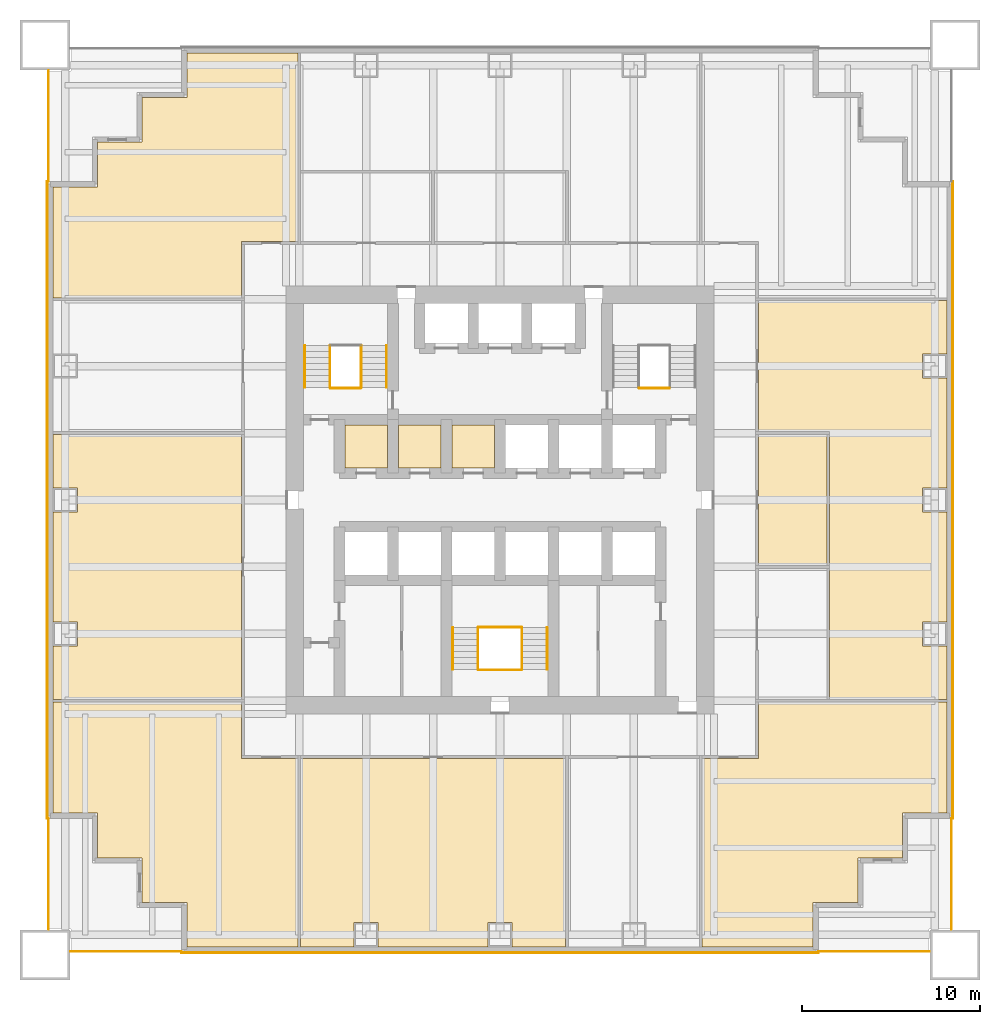
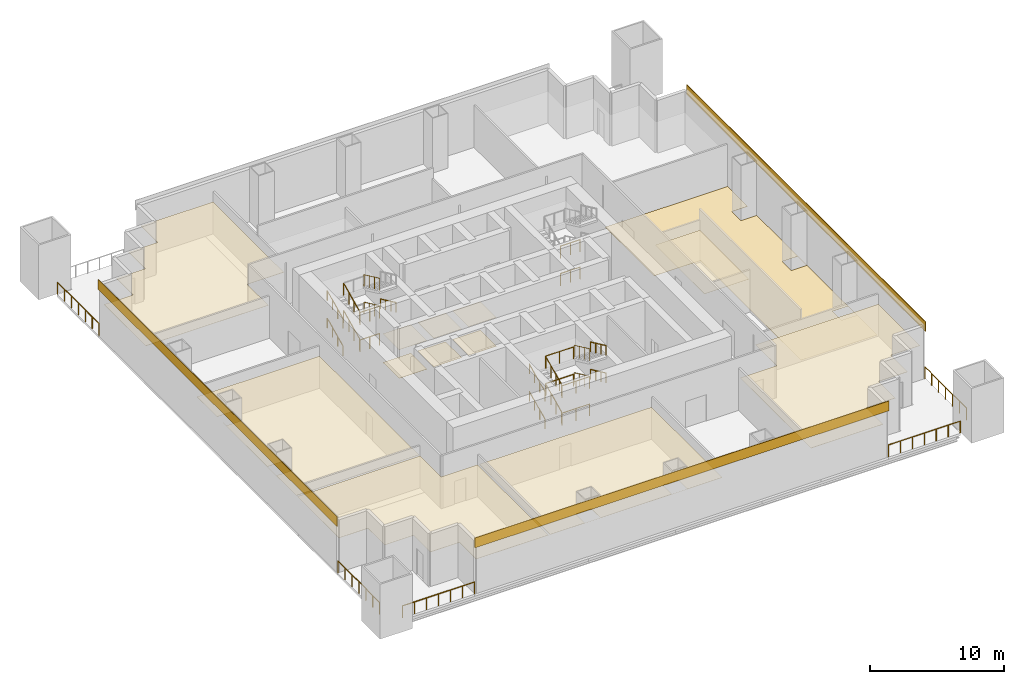
# One storey, part 5 of 6: 28 railings, 16 coverings.
"""IFC4 building model written with IfcOpenShell, lengths in metres."""

from ifc_helpers import new_model, si_unit, direction, frame, origin, origin_2d, place, context, subcontext, project, spatial, polyline, rectangle, circle, outline, extrude, material, layer, layer_set, type_object, element, save


model = new_model("IFC4")

# Units and contexts
model_context = context("Model", 3, precision=1e-05, world=origin(), true_north=direction((0.0, 1.0)))
body_context = subcontext(model_context, "Body", "Model", "MODEL_VIEW")
ifc_project = project(units=[si_unit("LENGTHUNIT", "METRE"), si_unit("AREAUNIT", "SQUARE_METRE"), si_unit("VOLUMEUNIT", "CUBIC_METRE"), si_unit("PLANEANGLEUNIT", "RADIAN"), si_unit("MASSUNIT", "GRAM", prefix="KILO")], contexts=[model_context])

# Site, building, storey
site_placement = place(None, origin())
site = spatial("IfcSite", under=ifc_project, at=site_placement, CompositionType="ELEMENT")
building_placement = place(site_placement, origin())
building = spatial("IfcBuilding", under=site, at=building_placement, Name="Tarangal Relay Tower", CompositionType="ELEMENT")
storey_placement = place(building_placement, frame((0.0, 0.0, 48.39990234375)))
storey = spatial("IfcBuildingStorey", under=building, at=storey_placement, Name="L09", CompositionType="ELEMENT", Elevation=48.39990234375)

# Coverings
ifc_material_1 = material(Name="Anti-static vinyl flooring", Category="plastic")
ifc_layer_1 = layer(ifc_material_1, 0.010009765625)
ifc_layer_set_1 = layer_set([ifc_layer_1], Name="Anti-static vinyl floor")
covering_type_1 = type_object("IfcCoveringType", Name="Anti-static vinyl floor", PredefinedType="FLOORING", material=ifc_layer_set_1)
covering_1_placement = place(storey_placement, origin())
element("IfcCovering", 1, at=covering_1_placement, inside=storey, type_object=covering_type_1, Name="Floor finish FL1 L09-D1", PredefinedType="FLOORING", context=body_context, shape_type="SweptSolid", body=[
    extrude(outline(polyline([(-8.699951171875, 1.800048828125), (-6.300048828125, 1.800048828125), (-6.300048828125, 4.199951171875), (-8.699951171875, 4.199951171875), (-8.699951171875, 1.800048828125)])), origin(), (0.0, 0.0, 1.0), 0.010009765625),
])
covering_2_placement = place(storey_placement, origin())
element("IfcCovering", 2, at=covering_2_placement, inside=storey, type_object=covering_type_1, Name="Floor finish FL1 L09-D2", PredefinedType="FLOORING", context=body_context, shape_type="SweptSolid", body=[
    extrude(outline(polyline([(-5.699951171875, 1.800048828125), (-3.300048828125, 1.800048828125), (-3.300048828125, 4.199951171875), (-5.699951171875, 4.199951171875), (-5.699951171875, 1.800048828125)])), origin(), (0.0, 0.0, 1.0), 0.010009765625),
])
covering_3_placement = place(storey_placement, origin())
element("IfcCovering", 3, at=covering_3_placement, inside=storey, type_object=covering_type_1, Name="Floor finish FL1 L09-D3", PredefinedType="FLOORING", context=body_context, shape_type="SweptSolid", body=[
    extrude(outline(polyline([(-2.699951171875, 1.800048828125), (-0.300048828125, 1.800048828125), (-0.300048828125, 4.199951171875), (-2.699951171875, 4.199951171875), (-2.699951171875, 1.800048828125)])), origin(), (0.0, 0.0, 1.0), 0.010009765625),
])
covering_4_placement = place(storey_placement, origin())
element("IfcCovering", 4, at=covering_4_placement, inside=storey, type_object=covering_type_1, Name="Floor finish FL1 L09-05", PredefinedType="FLOORING", context=body_context, shape_type="SweptSolid", body=[
    extrude(outline(polyline([(25.050048828125, -11.175048828125), (25.050048828125, 11.175048828125), (14.47509765625, 11.175048828125), (14.47509765625, 3.824951171875), (18.47509765625, 3.824951171875), (18.47509765625, -11.175048828125), (25.050048828125, -11.175048828125)]), holes=[polyline([(25.0400390625, -8.175048828125), (25.0400390625, -6.824951171875), (23.68994140625, -6.824951171875), (23.68994140625, -8.175048828125), (25.0400390625, -8.175048828125)]), polyline([(23.68994140625, -0.675048828125), (25.0400390625, -0.675048828125), (25.0400390625, 0.675048828125), (23.68994140625, 0.675048828125), (23.68994140625, -0.675048828125)]), polyline([(23.68994140625, 6.824951171875), (25.0400390625, 6.824951171875), (25.0400390625, 8.175048828125), (23.68994140625, 8.175048828125), (23.68994140625, 6.824951171875)])]), origin(), (0.0, 0.0, 1.0), 0.010009765625),
])
ifc_material_2 = material(Name="Black anodised aluminium cladding", Category="aluminium")
ifc_layer_2 = layer(ifc_material_2, 0.050048828125)
ifc_layer_set_2 = layer_set([ifc_layer_2], Name="Black metal spandrel band")
covering_type_2 = type_object("IfcCoveringType", Name="Black metal spandrel band", PredefinedType="CLADDING", material=ifc_layer_set_2)
for number, where, z_axis, x_axis, name in (
    (5, (25.375, 0.0, 4.250244140625), (0.0, 0.0, 1.0), (0.0, -1.0, 0.0), "Spandrel band SB1 E L09"),
    (6, (0.0, -25.375, 4.250244140625), (0.0, 0.0, 1.0), (-1.0, 0.0, 0.0), "Spandrel band SB1 S L09"),
    (7, (-25.375, 0.0, 4.250244140625), (0.0, 0.0, 1.0), (0.0, 1.0, 0.0), "Spandrel band SB1 W L09"),
):
    element("IfcCovering", number, at=place(storey_placement, frame(where, z_axis=z_axis, x_axis=x_axis)), inside=storey, type_object=covering_type_2, Name=name, PredefinedType="CLADDING", context=body_context, shape_type="SweptSolid", body=[
        extrude(rectangle(XDim=35.699951171875, YDim=0.050048828125, at=origin_2d()), origin(), (0.0, 0.0, 1.0), 0.89990234375),
    ])

# Railings
ifc_material_3 = material(Name="Steel guard, black finish", Category="steel")
railing_type_1 = type_object("IfcRailingType", Name="Stair guard 1100", PredefinedType="GUARDRAIL", material=ifc_material_3)
railing_1_placement = place(storey_placement, frame((-9.530029296875, 6.300048828125, 0.15625)))
element("IfcRailing", 8, at=railing_1_placement, inside=storey, type_object=railing_type_1, Name="Stair ST-A guard GR1 L09 flight 1", PredefinedType="GUARDRAIL", context=body_context, shape_type="SweptSolid", body=[
    extrude(circle(Radius=0.02392578125, at=origin_2d()), frame((0.0, 0.0, 1.076171875), z_axis=(0.0, 0.90626748934, 0.422704669676), x_axis=(-1.0, 0.0, 0.0)), (0.0, 0.0, 1.0), 2.58740234375),
    extrude(circle(Radius=0.02099609375, at=origin_2d()), origin(), (0.0, 0.0, 1.0), 1.052001953125),
    extrude(circle(Radius=0.02099609375, at=origin_2d()), frame((0.0, 0.78173828125, 0.364501953125)), (0.0, 0.0, 1.0), 1.052001953125),
    extrude(circle(Radius=0.02099609375, at=origin_2d()), frame((0.0, 1.563232421875, 0.729248046875)), (0.0, 0.0, 1.0), 1.052001953125),
    extrude(circle(Radius=0.02099609375, at=origin_2d()), frame((0.0, 2.344970703125, 1.09375)), (0.0, 0.0, 1.0), 1.052001953125),
])
railing_2_placement = place(storey_placement, frame((-7.77001953125, 8.64501953125, 1.40625)))
element("IfcRailing", 9, at=railing_2_placement, inside=storey, type_object=railing_type_1, Name="Stair ST-A guard GR1 L09 flight 2", PredefinedType="GUARDRAIL", context=body_context, shape_type="SweptSolid", body=[
    extrude(circle(Radius=0.02392578125, at=origin_2d()), frame((0.0, 0.0, 1.076171875), z_axis=(0.0, -0.90626748934, 0.422704669676), x_axis=(1.0, 0.0, 0.0)), (0.0, 0.0, 1.0), 2.58740234375),
    extrude(circle(Radius=0.02099609375, at=origin_2d()), origin(), (0.0, 0.0, 1.0), 1.052001953125),
    extrude(circle(Radius=0.02099609375, at=origin_2d()), frame((0.0, -0.78173828125, 0.364501953125)), (0.0, 0.0, 1.0), 1.052001953125),
    extrude(circle(Radius=0.02099609375, at=origin_2d()), frame((0.0, -1.563232421875, 0.729248046875)), (0.0, 0.0, 1.0), 1.052001953125),
    extrude(circle(Radius=0.02099609375, at=origin_2d()), frame((0.0, -2.344970703125, 1.09375)), (0.0, 0.0, 1.0), 1.052001953125),
])
railing_3_placement = place(storey_placement, frame((-9.530029296875, 6.300048828125, 2.65625)))
element("IfcRailing", 10, at=railing_3_placement, inside=storey, type_object=railing_type_1, Name="Stair ST-A guard GR1 L09 flight 3", PredefinedType="GUARDRAIL", context=body_context, shape_type="SweptSolid", body=[
    extrude(circle(Radius=0.02392578125, at=origin_2d()), frame((0.0, 0.0, 1.076171875), z_axis=(0.0, 0.90626748934, 0.422704669676), x_axis=(-1.0, 0.0, 0.0)), (0.0, 0.0, 1.0), 2.58740234375),
    extrude(circle(Radius=0.02099609375, at=origin_2d()), origin(), (0.0, 0.0, 1.0), 1.052001953125),
    extrude(circle(Radius=0.02099609375, at=origin_2d()), frame((0.0, 0.78173828125, 0.364501953125)), (0.0, 0.0, 1.0), 1.052001953125),
    extrude(circle(Radius=0.02099609375, at=origin_2d()), frame((0.0, 1.563232421875, 0.729248046875)), (0.0, 0.0, 1.0), 1.052001953125),
    extrude(circle(Radius=0.02099609375, at=origin_2d()), frame((0.0, 2.344970703125, 1.09375)), (0.0, 0.0, 1.0), 1.052001953125),
])
railing_4_placement = place(storey_placement, frame((-7.77001953125, 8.64501953125, 3.90625)))
element("IfcRailing", 11, at=railing_4_placement, inside=storey, type_object=railing_type_1, Name="Stair ST-A guard GR1 L09 flight 4", PredefinedType="GUARDRAIL", context=body_context, shape_type="SweptSolid", body=[
    extrude(circle(Radius=0.02392578125, at=origin_2d()), frame((0.0, 0.0, 1.076171875), z_axis=(0.0, -0.90626748934, 0.422704669676), x_axis=(1.0, 0.0, 0.0)), (0.0, 0.0, 1.0), 2.58740234375),
    extrude(circle(Radius=0.02099609375, at=origin_2d()), origin(), (0.0, 0.0, 1.0), 1.052001953125),
    extrude(circle(Radius=0.02099609375, at=origin_2d()), frame((0.0, -0.78173828125, 0.364501953125)), (0.0, 0.0, 1.0), 1.052001953125),
    extrude(circle(Radius=0.02099609375, at=origin_2d()), frame((0.0, -1.563232421875, 0.729248046875)), (0.0, 0.0, 1.0), 1.052001953125),
    extrude(circle(Radius=0.02099609375, at=origin_2d()), frame((0.0, -2.344970703125, 1.09375)), (0.0, 0.0, 1.0), 1.052001953125),
])
for number, where, name in (
    (12, (-9.5, 6.27001953125, 0.0), "Stair ST-A landing guard GR1 L09"),
    (13, (-9.5, 6.27001953125, 2.5), "Stair ST-A landing guard GR1 L09"),
    (14, (7.800048828125, 6.27001953125, 0.0), "Stair ST-B landing guard GR1 L09"),
    (15, (7.800048828125, 6.27001953125, 2.5), "Stair ST-B landing guard GR1 L09"),
):
    element("IfcRailing", number, at=place(storey_placement, frame(where)), inside=storey, type_object=railing_type_1, Name=name, PredefinedType="GUARDRAIL", context=body_context, shape_type="SweptSolid", body=[
        extrude(circle(Radius=0.02392578125, at=origin_2d()), frame((0.0, 0.0, 1.076171875), z_axis=(1.0, 0.0, 0.0), x_axis=(0.0, 1.0, 0.0)), (0.0, 0.0, 1.0), 1.699951171875),
        extrude(circle(Radius=0.02099609375, at=origin_2d()), origin(), (0.0, 0.0, 1.0), 1.052001953125),
        extrude(circle(Radius=0.02099609375, at=origin_2d()), frame((0.85009765625, 0.0, 0.0)), (0.0, 0.0, 1.0), 1.052001953125),
        extrude(circle(Radius=0.02099609375, at=origin_2d()), frame((1.699951171875, 0.0, 0.0)), (0.0, 0.0, 1.0), 1.052001953125),
    ])
railing_5_placement = place(storey_placement, frame((-1.22998046875, -9.5, 0.15625)))
element("IfcRailing", 16, at=railing_5_placement, inside=storey, type_object=railing_type_1, Name="Stair ST-C guard GR1 L09 flight 1", PredefinedType="GUARDRAIL", context=body_context, shape_type="SweptSolid", body=[
    extrude(circle(Radius=0.02392578125, at=origin_2d()), frame((0.0, 0.0, 1.076171875), z_axis=(0.0, 0.90626748934, 0.422704669676), x_axis=(-1.0, 0.0, 0.0)), (0.0, 0.0, 1.0), 2.58740234375),
    extrude(circle(Radius=0.02099609375, at=origin_2d()), origin(), (0.0, 0.0, 1.0), 1.052001953125),
    extrude(circle(Radius=0.02099609375, at=origin_2d()), frame((0.0, 0.78173828125, 0.364501953125)), (0.0, 0.0, 1.0), 1.052001953125),
    extrude(circle(Radius=0.02099609375, at=origin_2d()), frame((0.0, 1.563232421875, 0.729248046875)), (0.0, 0.0, 1.0), 1.052001953125),
    extrude(circle(Radius=0.02099609375, at=origin_2d()), frame((0.0, 2.344970703125, 1.09375)), (0.0, 0.0, 1.0), 1.052001953125),
])
railing_6_placement = place(storey_placement, frame((1.22998046875, -7.155029296875, 1.40625)))
element("IfcRailing", 17, at=railing_6_placement, inside=storey, type_object=railing_type_1, Name="Stair ST-C guard GR1 L09 flight 2", PredefinedType="GUARDRAIL", context=body_context, shape_type="SweptSolid", body=[
    extrude(circle(Radius=0.02392578125, at=origin_2d()), frame((0.0, 0.0, 1.076171875), z_axis=(0.0, -0.90626748934, 0.422704669676), x_axis=(1.0, 0.0, 0.0)), (0.0, 0.0, 1.0), 2.58740234375),
    extrude(circle(Radius=0.02099609375, at=origin_2d()), origin(), (0.0, 0.0, 1.0), 1.052001953125),
    extrude(circle(Radius=0.02099609375, at=origin_2d()), frame((0.0, -0.78173828125, 0.364501953125)), (0.0, 0.0, 1.0), 1.052001953125),
    extrude(circle(Radius=0.02099609375, at=origin_2d()), frame((0.0, -1.563232421875, 0.729248046875)), (0.0, 0.0, 1.0), 1.052001953125),
    extrude(circle(Radius=0.02099609375, at=origin_2d()), frame((0.0, -2.344970703125, 1.09375)), (0.0, 0.0, 1.0), 1.052001953125),
])
railing_7_placement = place(storey_placement, frame((-1.22998046875, -9.5, 2.65625)))
element("IfcRailing", 18, at=railing_7_placement, inside=storey, type_object=railing_type_1, Name="Stair ST-C guard GR1 L09 flight 3", PredefinedType="GUARDRAIL", context=body_context, shape_type="SweptSolid", body=[
    extrude(circle(Radius=0.02392578125, at=origin_2d()), frame((0.0, 0.0, 1.076171875), z_axis=(0.0, 0.90626748934, 0.422704669676), x_axis=(-1.0, 0.0, 0.0)), (0.0, 0.0, 1.0), 2.58740234375),
    extrude(circle(Radius=0.02099609375, at=origin_2d()), origin(), (0.0, 0.0, 1.0), 1.052001953125),
    extrude(circle(Radius=0.02099609375, at=origin_2d()), frame((0.0, 0.78173828125, 0.364501953125)), (0.0, 0.0, 1.0), 1.052001953125),
    extrude(circle(Radius=0.02099609375, at=origin_2d()), frame((0.0, 1.563232421875, 0.729248046875)), (0.0, 0.0, 1.0), 1.052001953125),
    extrude(circle(Radius=0.02099609375, at=origin_2d()), frame((0.0, 2.344970703125, 1.09375)), (0.0, 0.0, 1.0), 1.052001953125),
])
railing_8_placement = place(storey_placement, frame((1.22998046875, -7.155029296875, 3.90625)))
element("IfcRailing", 19, at=railing_8_placement, inside=storey, type_object=railing_type_1, Name="Stair ST-C guard GR1 L09 flight 4", PredefinedType="GUARDRAIL", context=body_context, shape_type="SweptSolid", body=[
    extrude(circle(Radius=0.02392578125, at=origin_2d()), frame((0.0, 0.0, 1.076171875), z_axis=(0.0, -0.90626748934, 0.422704669676), x_axis=(1.0, 0.0, 0.0)), (0.0, 0.0, 1.0), 2.58740234375),
    extrude(circle(Radius=0.02099609375, at=origin_2d()), origin(), (0.0, 0.0, 1.0), 1.052001953125),
    extrude(circle(Radius=0.02099609375, at=origin_2d()), frame((0.0, -0.78173828125, 0.364501953125)), (0.0, 0.0, 1.0), 1.052001953125),
    extrude(circle(Radius=0.02099609375, at=origin_2d()), frame((0.0, -1.563232421875, 0.729248046875)), (0.0, 0.0, 1.0), 1.052001953125),
    extrude(circle(Radius=0.02099609375, at=origin_2d()), frame((0.0, -2.344970703125, 1.09375)), (0.0, 0.0, 1.0), 1.052001953125),
])
for number, where, name in (
    (20, (-1.199951171875, -9.530029296875, 0.0), "Stair ST-C landing guard GR1 L09"),
    (21, (-1.199951171875, -7.125, 1.25), "Stair ST-C landing guard GR1 L09"),
    (22, (-1.199951171875, -9.530029296875, 2.5), "Stair ST-C landing guard GR1 L09"),
    (23, (-1.199951171875, -7.125, 3.75), "Stair ST-C landing guard GR1 L09"),
):
    element("IfcRailing", number, at=place(storey_placement, frame(where)), inside=storey, type_object=railing_type_1, Name=name, PredefinedType="GUARDRAIL", context=body_context, shape_type="SweptSolid", body=[
        extrude(circle(Radius=0.02392578125, at=origin_2d()), frame((0.0, 0.0, 1.076171875), z_axis=(1.0, 0.0, 0.0), x_axis=(0.0, 1.0, 0.0)), (0.0, 0.0, 1.0), 2.39990234375),
        extrude(circle(Radius=0.02099609375, at=origin_2d()), origin(), (0.0, 0.0, 1.0), 1.052001953125),
        extrude(circle(Radius=0.02099609375, at=origin_2d()), frame((1.199951171875, 0.0, 0.0)), (0.0, 0.0, 1.0), 1.052001953125),
        extrude(circle(Radius=0.02099609375, at=origin_2d()), frame((2.39990234375, 0.0, 0.0)), (0.0, 0.0, 1.0), 1.052001953125),
    ])
ifc_material_4 = material(Name="Steel handrail, black finish", Category="steel")
railing_type_2 = type_object("IfcRailingType", Name="Stair handrail 900", PredefinedType="HANDRAIL", material=ifc_material_4)
railing_9_placement = place(storey_placement, frame((-10.93994140625, 6.300048828125, 0.15625)))
element("IfcRailing", 24, at=railing_9_placement, inside=storey, type_object=railing_type_2, Name="Stair ST-A handrail HR1 L09 flight 1", PredefinedType="HANDRAIL", context=body_context, shape_type="SweptSolid", body=[
    extrude(circle(Radius=0.02392578125, at=origin_2d()), frame((0.0, 0.0, 0.8759765625), z_axis=(0.0, 0.90626748934, 0.422704669676), x_axis=(-1.0, 0.0, 0.0)), (0.0, 0.0, 1.0), 2.58740234375),
    extrude(circle(Radius=0.02099609375, at=origin_2d()), origin(), (0.0, 0.0, 1.0), 0.851806640625),
    extrude(circle(Radius=0.02099609375, at=origin_2d()), frame((0.0, 0.78173828125, 0.364501953125)), (0.0, 0.0, 1.0), 0.851806640625),
    extrude(circle(Radius=0.02099609375, at=origin_2d()), frame((0.0, 1.563232421875, 0.729248046875)), (0.0, 0.0, 1.0), 0.851806640625),
    extrude(circle(Radius=0.02099609375, at=origin_2d()), frame((0.0, 2.344970703125, 1.09375)), (0.0, 0.0, 1.0), 0.851806640625),
])
railing_10_placement = place(storey_placement, frame((-6.360107421875, 8.64501953125, 1.40625)))
element("IfcRailing", 25, at=railing_10_placement, inside=storey, type_object=railing_type_2, Name="Stair ST-A handrail HR1 L09 flight 2", PredefinedType="HANDRAIL", context=body_context, shape_type="SweptSolid", body=[
    extrude(circle(Radius=0.02392578125, at=origin_2d()), frame((0.0, 0.0, 0.8759765625), z_axis=(0.0, -0.90626748934, 0.422704669676), x_axis=(1.0, 0.0, 0.0)), (0.0, 0.0, 1.0), 2.58740234375),
    extrude(circle(Radius=0.02099609375, at=origin_2d()), origin(), (0.0, 0.0, 1.0), 0.851806640625),
    extrude(circle(Radius=0.02099609375, at=origin_2d()), frame((0.0, -0.78173828125, 0.364501953125)), (0.0, 0.0, 1.0), 0.851806640625),
    extrude(circle(Radius=0.02099609375, at=origin_2d()), frame((0.0, -1.563232421875, 0.729248046875)), (0.0, 0.0, 1.0), 0.851806640625),
    extrude(circle(Radius=0.02099609375, at=origin_2d()), frame((0.0, -2.344970703125, 1.09375)), (0.0, 0.0, 1.0), 0.851806640625),
])
for number, where, name in (
    (26, (-10.93994140625, 6.300048828125, 2.65625), "Stair ST-A handrail HR1 L09 flight 3"),
    (27, (-2.639892578125, -9.5, 0.15625), "Stair ST-C handrail HR1 L09 flight 1"),
):
    element("IfcRailing", number, at=place(storey_placement, frame(where)), inside=storey, type_object=railing_type_2, Name=name, PredefinedType="HANDRAIL", context=body_context, shape_type="SweptSolid", body=[
        extrude(circle(Radius=0.02392578125, at=origin_2d()), frame((0.0, 0.0, 0.8759765625), z_axis=(0.0, 0.90626748934, 0.422704669676), x_axis=(-1.0, 0.0, 0.0)), (0.0, 0.0, 1.0), 2.58740234375),
        extrude(circle(Radius=0.02099609375, at=origin_2d()), origin(), (0.0, 0.0, 1.0), 0.851806640625),
        extrude(circle(Radius=0.02099609375, at=origin_2d()), frame((0.0, 0.78173828125, 0.364501953125)), (0.0, 0.0, 1.0), 0.851806640625),
        extrude(circle(Radius=0.02099609375, at=origin_2d()), frame((0.0, 1.563232421875, 0.729248046875)), (0.0, 0.0, 1.0), 0.851806640625),
        extrude(circle(Radius=0.02099609375, at=origin_2d()), frame((0.0, 2.344970703125, 1.09375)), (0.0, 0.0, 1.0), 0.851806640625),
    ])
railing_11_placement = place(storey_placement, frame((2.639892578125, -7.155029296875, 1.40625)))
element("IfcRailing", 28, at=railing_11_placement, inside=storey, type_object=railing_type_2, Name="Stair ST-C handrail HR1 L09 flight 2", PredefinedType="HANDRAIL", context=body_context, shape_type="SweptSolid", body=[
    extrude(circle(Radius=0.02392578125, at=origin_2d()), frame((0.0, 0.0, 0.8759765625), z_axis=(0.0, -0.90626748934, 0.422704669676), x_axis=(1.0, 0.0, 0.0)), (0.0, 0.0, 1.0), 2.58740234375),
    extrude(circle(Radius=0.02099609375, at=origin_2d()), origin(), (0.0, 0.0, 1.0), 0.851806640625),
    extrude(circle(Radius=0.02099609375, at=origin_2d()), frame((0.0, -0.78173828125, 0.364501953125)), (0.0, 0.0, 1.0), 0.851806640625),
    extrude(circle(Radius=0.02099609375, at=origin_2d()), frame((0.0, -1.563232421875, 0.729248046875)), (0.0, 0.0, 1.0), 0.851806640625),
    extrude(circle(Radius=0.02099609375, at=origin_2d()), frame((0.0, -2.344970703125, 1.09375)), (0.0, 0.0, 1.0), 0.851806640625),
])
railing_12_placement = place(storey_placement, frame((-2.639892578125, -9.5, 2.65625)))
element("IfcRailing", 29, at=railing_12_placement, inside=storey, type_object=railing_type_2, Name="Stair ST-C handrail HR1 L09 flight 3", PredefinedType="HANDRAIL", context=body_context, shape_type="SweptSolid", body=[
    extrude(circle(Radius=0.02392578125, at=origin_2d()), frame((0.0, 0.0, 0.8759765625), z_axis=(0.0, 0.90626748934, 0.422704669676), x_axis=(-1.0, 0.0, 0.0)), (0.0, 0.0, 1.0), 2.58740234375),
    extrude(circle(Radius=0.02099609375, at=origin_2d()), origin(), (0.0, 0.0, 1.0), 0.851806640625),
    extrude(circle(Radius=0.02099609375, at=origin_2d()), frame((0.0, 0.78173828125, 0.364501953125)), (0.0, 0.0, 1.0), 0.851806640625),
    extrude(circle(Radius=0.02099609375, at=origin_2d()), frame((0.0, 1.563232421875, 0.729248046875)), (0.0, 0.0, 1.0), 0.851806640625),
    extrude(circle(Radius=0.02099609375, at=origin_2d()), frame((0.0, 2.344970703125, 1.09375)), (0.0, 0.0, 1.0), 0.851806640625),
])
railing_13_placement = place(storey_placement, frame((2.639892578125, -7.155029296875, 3.90625)))
element("IfcRailing", 30, at=railing_13_placement, inside=storey, type_object=railing_type_2, Name="Stair ST-C handrail HR1 L09 flight 4", PredefinedType="HANDRAIL", context=body_context, shape_type="SweptSolid", body=[
    extrude(circle(Radius=0.02392578125, at=origin_2d()), frame((0.0, 0.0, 0.8759765625), z_axis=(0.0, -0.90626748934, 0.422704669676), x_axis=(1.0, 0.0, 0.0)), (0.0, 0.0, 1.0), 2.58740234375),
    extrude(circle(Radius=0.02099609375, at=origin_2d()), origin(), (0.0, 0.0, 1.0), 0.851806640625),
    extrude(circle(Radius=0.02099609375, at=origin_2d()), frame((0.0, -0.78173828125, 0.364501953125)), (0.0, 0.0, 1.0), 0.851806640625),
    extrude(circle(Radius=0.02099609375, at=origin_2d()), frame((0.0, -1.563232421875, 0.729248046875)), (0.0, 0.0, 1.0), 0.851806640625),
    extrude(circle(Radius=0.02099609375, at=origin_2d()), frame((0.0, -2.344970703125, 1.09375)), (0.0, 0.0, 1.0), 0.851806640625),
])

# Coverings
ifc_material_5 = material(Name="Mineral fibre ceiling tiles", Category="gypsum")
ifc_layer_3 = layer(ifc_material_5, 0.02001953125)
ifc_layer_set_3 = layer_set([ifc_layer_3], Name="Suspended ceiling")
covering_type_3 = type_object("IfcCoveringType", Name="Suspended ceiling", PredefinedType="CEILING", material=ifc_layer_set_3)
covering_5_placement = place(storey_placement, frame((0.0, 0.0, 2.60009765625)))
element("IfcCovering", 31, at=covering_5_placement, inside=storey, type_object=covering_type_3, Name="Suspended ceiling CL1 L09-D1", PredefinedType="CEILING", context=body_context, shape_type="SweptSolid", body=[
    extrude(outline(polyline([(-8.699951171875, 1.800048828125), (-6.300048828125, 1.800048828125), (-6.300048828125, 4.199951171875), (-8.699951171875, 4.199951171875), (-8.699951171875, 1.800048828125)])), origin(), (0.0, 0.0, 1.0), 0.02001953125),
])
covering_6_placement = place(storey_placement, frame((0.0, 0.0, 2.60009765625)))
element("IfcCovering", 32, at=covering_6_placement, inside=storey, type_object=covering_type_3, Name="Suspended ceiling CL1 L09-D2", PredefinedType="CEILING", context=body_context, shape_type="SweptSolid", body=[
    extrude(outline(polyline([(-5.699951171875, 1.800048828125), (-3.300048828125, 1.800048828125), (-3.300048828125, 4.199951171875), (-5.699951171875, 4.199951171875), (-5.699951171875, 1.800048828125)])), origin(), (0.0, 0.0, 1.0), 0.02001953125),
])
covering_7_placement = place(storey_placement, frame((0.0, 0.0, 2.60009765625)))
element("IfcCovering", 33, at=covering_7_placement, inside=storey, type_object=covering_type_3, Name="Suspended ceiling CL1 L09-D3", PredefinedType="CEILING", context=body_context, shape_type="SweptSolid", body=[
    extrude(outline(polyline([(-2.699951171875, 1.800048828125), (-0.300048828125, 1.800048828125), (-0.300048828125, 4.199951171875), (-2.699951171875, 4.199951171875), (-2.699951171875, 1.800048828125)])), origin(), (0.0, 0.0, 1.0), 0.02001953125),
])
covering_8_placement = place(storey_placement, frame((0.0, 0.0, 2.900146484375)))
element("IfcCovering", 34, at=covering_8_placement, inside=storey, type_object=covering_type_3, Name="Suspended ceiling CL1 L09-06", PredefinedType="CEILING", context=body_context, shape_type="SweptSolid", body=[
    extrude(outline(polyline([(18.324951171875, 3.675048828125), (14.47509765625, 3.675048828125), (14.47509765625, -3.675048828125), (18.324951171875, -3.675048828125), (18.324951171875, 3.675048828125)])), origin(), (0.0, 0.0, 1.0), 0.02001953125),
])
covering_9_placement = place(storey_placement, frame((0.0, 0.0, 2.900146484375)))
element("IfcCovering", 35, at=covering_9_placement, inside=storey, type_object=covering_type_3, Name="Suspended ceiling CL1 L09-09", PredefinedType="CEILING", context=body_context, shape_type="SweptSolid", body=[
    extrude(outline(polyline([(-11.175048828125, -25.050048828125), (3.675048828125, -25.050048828125), (3.675048828125, -14.47509765625), (-11.175048828125, -14.47509765625), (-11.175048828125, -25.050048828125)]), holes=[polyline([(-6.824951171875, -25.0400390625), (-6.824951171875, -23.68994140625), (-8.175048828125, -23.68994140625), (-8.175048828125, -25.0400390625), (-6.824951171875, -25.0400390625)]), polyline([(0.675048828125, -25.0400390625), (0.675048828125, -23.68994140625), (-0.675048828125, -23.68994140625), (-0.675048828125, -25.0400390625), (0.675048828125, -25.0400390625)])]), origin(), (0.0, 0.0, 1.0), 0.02001953125),
])
covering_10_placement = place(storey_placement, frame((0.0, 0.0, 2.900146484375)))
element("IfcCovering", 36, at=covering_10_placement, inside=storey, type_object=covering_type_3, Name="Suspended ceiling CL1 L09-10", PredefinedType="CEILING", context=body_context, shape_type="SweptSolid", body=[
    extrude(outline(polyline([(-25.050048828125, 3.675048828125), (-25.050048828125, -11.175048828125), (-14.47509765625, -11.175048828125), (-14.47509765625, 3.675048828125), (-25.050048828125, 3.675048828125)]), holes=[polyline([(-23.68994140625, -8.175048828125), (-23.68994140625, -6.824951171875), (-25.0400390625, -6.824951171875), (-25.0400390625, -8.175048828125), (-23.68994140625, -8.175048828125)]), polyline([(-23.68994140625, -0.675048828125), (-23.68994140625, 0.675048828125), (-25.0400390625, 0.675048828125), (-25.0400390625, -0.675048828125), (-23.68994140625, -0.675048828125)])]), origin(), (0.0, 0.0, 1.0), 0.02001953125),
])
covering_11_placement = place(storey_placement, frame((0.0, 0.0, 2.900146484375)))
element("IfcCovering", 37, at=covering_11_placement, inside=storey, type_object=covering_type_3, Name="Suspended ceiling CL1 L09-13", PredefinedType="CEILING", context=body_context, shape_type="SweptSolid", body=[
    extrude(outline(polyline([(25.050048828125, -11.324951171875), (14.47509765625, -11.324951171875), (14.47509765625, -14.47509765625), (11.324951171875, -14.47509765625), (11.324951171875, -25.050048828125), (17.550048828125, -25.050048828125), (17.550048828125, -22.550048828125), (20.050048828125, -22.550048828125), (20.050048828125, -20.050048828125), (22.550048828125, -20.050048828125), (22.550048828125, -17.550048828125), (25.050048828125, -17.550048828125), (25.050048828125, -11.324951171875)])), origin(), (0.0, 0.0, 1.0), 0.02001953125),
])
covering_12_placement = place(storey_placement, frame((0.0, 0.0, 2.900146484375)))
element("IfcCovering", 38, at=covering_12_placement, inside=storey, type_object=covering_type_3, Name="Suspended ceiling CL1 L09-14", PredefinedType="CEILING", context=body_context, shape_type="SweptSolid", body=[
    extrude(outline(polyline([(-17.550048828125, -22.550048828125), (-17.550048828125, -25.050048828125), (-11.324951171875, -25.050048828125), (-11.324951171875, -14.47509765625), (-14.47509765625, -14.47509765625), (-14.47509765625, -11.324951171875), (-25.050048828125, -11.324951171875), (-25.050048828125, -17.550048828125), (-22.550048828125, -17.550048828125), (-22.550048828125, -20.050048828125), (-20.050048828125, -20.050048828125), (-20.050048828125, -22.550048828125), (-17.550048828125, -22.550048828125)])), origin(), (0.0, 0.0, 1.0), 0.02001953125),
])
covering_13_placement = place(storey_placement, frame((0.0, 0.0, 2.900146484375)))
element("IfcCovering", 39, at=covering_13_placement, inside=storey, type_object=covering_type_3, Name="Suspended ceiling CL1 L09-15", PredefinedType="CEILING", context=body_context, shape_type="SweptSolid", body=[
    extrude(outline(polyline([(-22.550048828125, 17.550048828125), (-25.050048828125, 17.550048828125), (-25.050048828125, 11.324951171875), (-14.47509765625, 11.324951171875), (-14.47509765625, 14.47509765625), (-11.324951171875, 14.47509765625), (-11.324951171875, 25.050048828125), (-17.550048828125, 25.050048828125), (-17.550048828125, 22.550048828125), (-20.050048828125, 22.550048828125), (-20.050048828125, 20.050048828125), (-22.550048828125, 20.050048828125), (-22.550048828125, 17.550048828125)])), origin(), (0.0, 0.0, 1.0), 0.02001953125),
])

# Railings
ifc_material_6 = material(Name="Black steel guard with glass infill", Category="steel")
railing_type_3 = type_object("IfcRailingType", Name="Terrace guard 1100", PredefinedType="GUARDRAIL", material=ifc_material_6)
railing_14_placement = place(storey_placement, frame((25.300048828125, -17.85009765625, 0.0)))
element("IfcRailing", 40, at=railing_14_placement, inside=storey, type_object=railing_type_3, Name="Terrace guard GR2 SE L09", PredefinedType="GUARDRAIL", context=body_context, shape_type="SweptSolid", body=[
    extrude(circle(Radius=0.02392578125, at=origin_2d()), frame((0.0, 0.0, 1.076171875), z_axis=(0.0, -1.0, 0.0), x_axis=(1.0, 0.0, 0.0)), (0.0, 0.0, 1.0), 6.199951171875),
    extrude(circle(Radius=0.02099609375, at=origin_2d()), origin(), (0.0, 0.0, 1.0), 1.052001953125),
    extrude(circle(Radius=0.02099609375, at=origin_2d()), frame((0.0, -1.033203125, 0.0)), (0.0, 0.0, 1.0), 1.052001953125),
    extrude(circle(Radius=0.02099609375, at=origin_2d()), frame((0.0, -2.066650390625, 0.0)), (0.0, 0.0, 1.0), 1.052001953125),
    extrude(circle(Radius=0.02099609375, at=origin_2d()), frame((0.0, -3.10009765625, 0.0)), (0.0, 0.0, 1.0), 1.052001953125),
    extrude(circle(Radius=0.02099609375, at=origin_2d()), frame((0.0, -4.13330078125, 0.0)), (0.0, 0.0, 1.0), 1.052001953125),
    extrude(circle(Radius=0.02099609375, at=origin_2d()), frame((0.0, -5.16650390625, 0.0)), (0.0, 0.0, 1.0), 1.052001953125),
    extrude(circle(Radius=0.02099609375, at=origin_2d()), frame((0.0, -6.199951171875, 0.0)), (0.0, 0.0, 1.0), 1.052001953125),
])
for number, where, name in (
    (41, (24.050048828125, -25.300048828125, 0.0), "Terrace guard GR2 SE L09"),
    (42, (-17.85009765625, -25.300048828125, 0.0), "Terrace guard GR2 SW L09"),
):
    element("IfcRailing", number, at=place(storey_placement, frame(where)), inside=storey, type_object=railing_type_3, Name=name, PredefinedType="GUARDRAIL", context=body_context, shape_type="SweptSolid", body=[
        extrude(circle(Radius=0.02392578125, at=origin_2d()), frame((0.0, 0.0, 1.076171875), z_axis=(-1.0, 0.0, 0.0), x_axis=(0.0, -1.0, 0.0)), (0.0, 0.0, 1.0), 6.199951171875),
        extrude(circle(Radius=0.02099609375, at=origin_2d()), origin(), (0.0, 0.0, 1.0), 1.052001953125),
        extrude(circle(Radius=0.02099609375, at=origin_2d()), frame((-1.033203125, 0.0, 0.0)), (0.0, 0.0, 1.0), 1.052001953125),
        extrude(circle(Radius=0.02099609375, at=origin_2d()), frame((-2.066650390625, 0.0, 0.0)), (0.0, 0.0, 1.0), 1.052001953125),
        extrude(circle(Radius=0.02099609375, at=origin_2d()), frame((-3.10009765625, 0.0, 0.0)), (0.0, 0.0, 1.0), 1.052001953125),
        extrude(circle(Radius=0.02099609375, at=origin_2d()), frame((-4.13330078125, 0.0, 0.0)), (0.0, 0.0, 1.0), 1.052001953125),
        extrude(circle(Radius=0.02099609375, at=origin_2d()), frame((-5.16650390625, 0.0, 0.0)), (0.0, 0.0, 1.0), 1.052001953125),
        extrude(circle(Radius=0.02099609375, at=origin_2d()), frame((-6.199951171875, 0.0, 0.0)), (0.0, 0.0, 1.0), 1.052001953125),
    ])
for number, where, name in (
    (43, (-25.300048828125, -24.050048828125, 0.0), "Terrace guard GR2 SW L09"),
    (44, (-25.300048828125, 17.85009765625, 0.0), "Terrace guard GR2 NW L09"),
):
    element("IfcRailing", number, at=place(storey_placement, frame(where)), inside=storey, type_object=railing_type_3, Name=name, PredefinedType="GUARDRAIL", context=body_context, shape_type="SweptSolid", body=[
        extrude(circle(Radius=0.02392578125, at=origin_2d()), frame((0.0, 0.0, 1.076171875), z_axis=(0.0, 1.0, 0.0), x_axis=(-1.0, 0.0, 0.0)), (0.0, 0.0, 1.0), 6.199951171875),
        extrude(circle(Radius=0.02099609375, at=origin_2d()), origin(), (0.0, 0.0, 1.0), 1.052001953125),
        extrude(circle(Radius=0.02099609375, at=origin_2d()), frame((0.0, 1.033203125, 0.0)), (0.0, 0.0, 1.0), 1.052001953125),
        extrude(circle(Radius=0.02099609375, at=origin_2d()), frame((0.0, 2.066650390625, 0.0)), (0.0, 0.0, 1.0), 1.052001953125),
        extrude(circle(Radius=0.02099609375, at=origin_2d()), frame((0.0, 3.10009765625, 0.0)), (0.0, 0.0, 1.0), 1.052001953125),
        extrude(circle(Radius=0.02099609375, at=origin_2d()), frame((0.0, 4.13330078125, 0.0)), (0.0, 0.0, 1.0), 1.052001953125),
        extrude(circle(Radius=0.02099609375, at=origin_2d()), frame((0.0, 5.16650390625, 0.0)), (0.0, 0.0, 1.0), 1.052001953125),
        extrude(circle(Radius=0.02099609375, at=origin_2d()), frame((0.0, 6.199951171875, 0.0)), (0.0, 0.0, 1.0), 1.052001953125),
    ])

save(model, "model.ifc")
